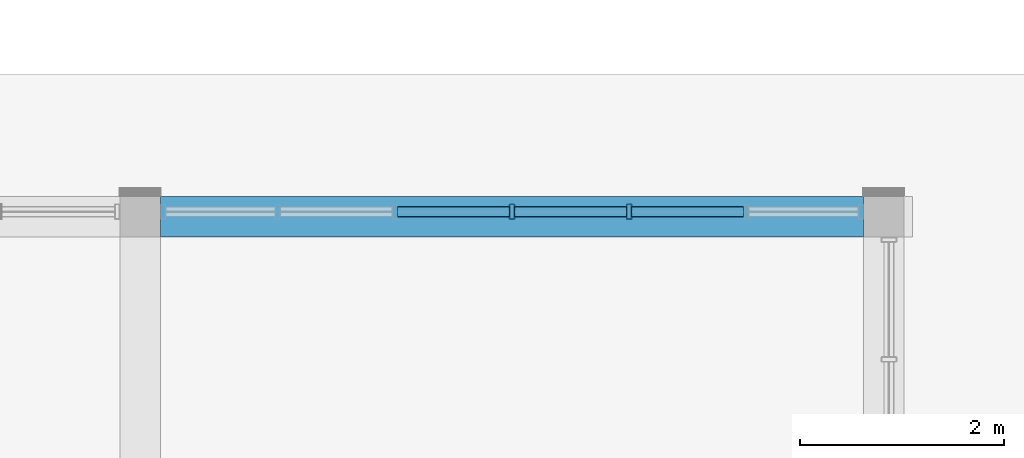
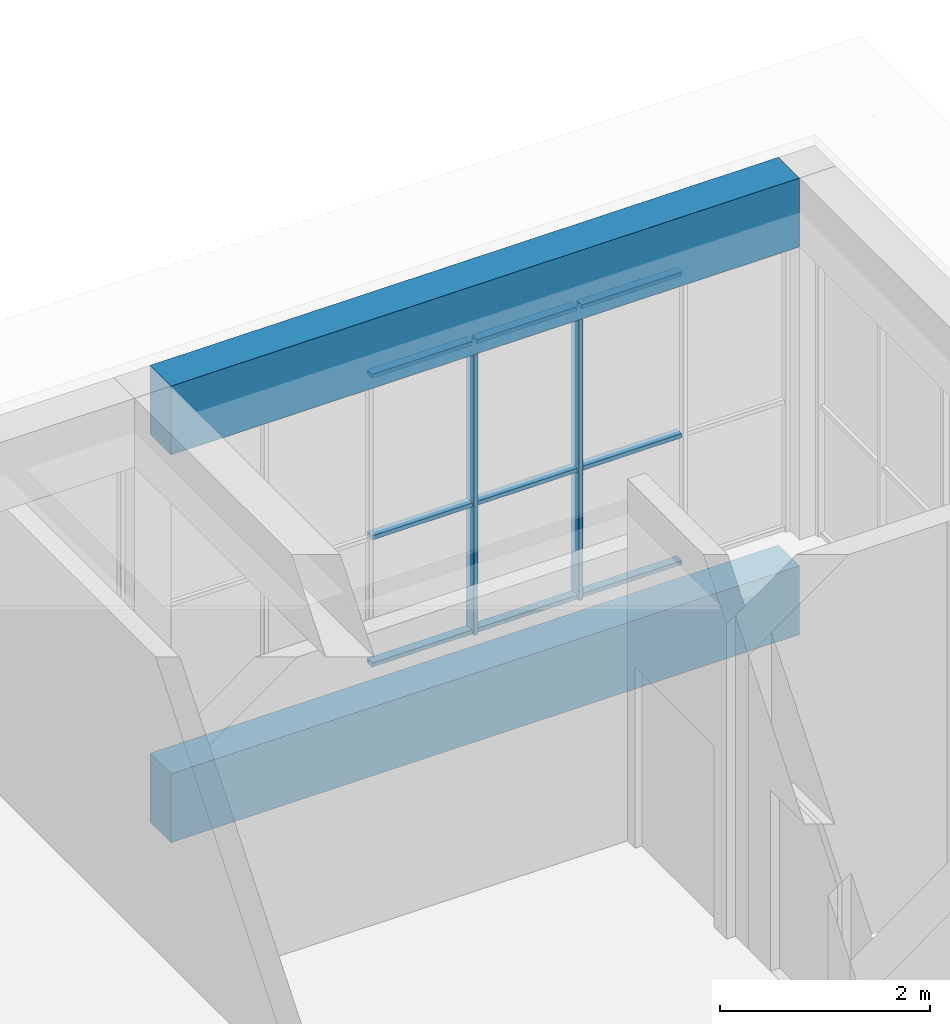
# One storey, part 16 of 92: 11 members, 2 beams, 1 element without a shape of its own.
"""IFC4 building model written with IfcOpenShell, lengths in metres."""

from ifc_helpers import new_model, si_unit, direction, frame, origin, origin_2d, place, context, subcontext, project, spatial, rectangle, hollow_rectangle, extrude, material, material_profile, profile_set, type_object, element, aggregate, save


model = new_model("IFC4")

# Units and contexts
model_context = context("Model", 3, precision=1e-05, world=origin(), true_north=direction((0.0, 1.0)))
body_context = subcontext(model_context, "Body", "Model", "MODEL_VIEW")
ifc_project = project(units=[si_unit("LENGTHUNIT", "METRE"), si_unit("AREAUNIT", "SQUARE_METRE"), si_unit("VOLUMEUNIT", "CUBIC_METRE"), si_unit("PLANEANGLEUNIT", "RADIAN"), si_unit("MASSUNIT", "GRAM", prefix="KILO")], contexts=[model_context])

# Site, building, storey
site_placement = place(None, origin())
site = spatial("IfcSite", under=ifc_project, at=site_placement, CompositionType="ELEMENT")
building_placement = place(site_placement, origin())
building = spatial("IfcBuilding", under=site, at=building_placement, Name="Sun Court Science Centre", CompositionType="ELEMENT")
storey_placement = place(building_placement, frame((0.0, 0.0, 11.25)))
storey = spatial("IfcBuildingStorey", under=building, at=storey_placement, Name="L02", CompositionType="ELEMENT", Elevation=11.25)

# Curtain wall, members
ifc_material_1 = material(Name="Aluminium EN AW-6063 T6", Category="aluminium")
curtain_wall_type = type_object("IfcCurtainWallType", Name="Pavilion curtain wall 1200", PredefinedType="NOTDEFINED", material=ifc_material_1)
curtain_wall_placement = place(storey_placement, origin())
curtain_wall = element("IfcCurtainWall", 1, at=curtain_wall_placement, inside=storey, type_object=curtain_wall_type, Name="Curtain wall V5 N L02 03", PredefinedType="NOTDEFINED")
ifc_material_2 = material(Name="Aluminium EN AW-6063 T6", Category="aluminium")
ifc_material_profile_1 = material_profile(ifc_material_2, hollow_rectangle(XDim=0.050048828125, YDim=0.14990234375, WallThickness=0.00390625, InnerFilletRadius=0.00390625, OuterFilletRadius=0.006103515625, at=origin_2d()), Name="AL 50x150x4")
ifc_profile_set_1 = profile_set([ifc_material_profile_1], Name="Aluminium EN AW-6063 T6")
member_type_1 = type_object("IfcMemberType", Name="Curtain wall mullion AL 50x150", PredefinedType="MULLION", material=ifc_profile_set_1)
member_1_placement = place(storey_placement, frame((62.14990234375, 49.85009765625, 0.0), z_axis=(0.0, 0.0, 1.0), x_axis=(1.0, 0.0, 0.0)))
member_1 = element("IfcMember", 2, at=member_1_placement, type_object=member_type_1, Name="CW3-19 mullion 4", PredefinedType="MULLION", context=body_context, shape_type="SweptSolid", body=[
    extrude(hollow_rectangle(XDim=0.050048828125, YDim=0.14990234375, WallThickness=0.00390625, InnerFilletRadius=0.00390625, OuterFilletRadius=0.006103515625, at=origin_2d()), origin(), (0.0, 0.0, 1.0), 3.39990234375),
])
member_2_placement = place(storey_placement, frame((63.300048828125, 49.85009765625, 0.0), z_axis=(0.0, 0.0, 1.0), x_axis=(1.0, 0.0, 0.0)))
member_2 = element("IfcMember", 3, at=member_2_placement, type_object=member_type_1, Name="CW3-19 mullion 5", PredefinedType="MULLION", context=body_context, shape_type="SweptSolid", body=[
    extrude(hollow_rectangle(XDim=0.050048828125, YDim=0.14990234375, WallThickness=0.00390625, InnerFilletRadius=0.00390625, OuterFilletRadius=0.006103515625, at=origin_2d()), origin(), (0.0, 0.0, 1.0), 3.39990234375),
])
ifc_material_3 = material(Name="Aluminium EN AW-6063 T6", Category="aluminium")
ifc_material_profile_2 = material_profile(ifc_material_3, hollow_rectangle(XDim=0.050048828125, YDim=0.10009765625, WallThickness=0.00390625, InnerFilletRadius=0.00390625, OuterFilletRadius=0.006103515625, at=origin_2d()), Name="AL 50x100x4")
ifc_profile_set_2 = profile_set([ifc_material_profile_2], Name="Aluminium EN AW-6063 T6")
member_type_2 = type_object("IfcMemberType", Name="Curtain wall transom AL 50x100", PredefinedType="USERDEFINED", material=ifc_profile_set_2)
member_3_placement = place(storey_placement, frame((61.02490234375, 49.85009765625, 0.02490234375), z_axis=(1.0, 0.0, 0.0), x_axis=(0.0, 0.0, 1.0)))
member_3 = element("IfcMember", 4, at=member_3_placement, type_object=member_type_2, Name="CW3-19 transom 3.1", ObjectType="TRANSOM", PredefinedType="USERDEFINED", context=body_context, shape_type="SweptSolid", body=[
    extrude(hollow_rectangle(XDim=0.050048828125, YDim=0.10009765625, WallThickness=0.00390625, InnerFilletRadius=0.00390625, OuterFilletRadius=0.006103515625, at=origin_2d()), origin(), (0.0, 0.0, 1.0), 1.10009765625),
])
member_4_placement = place(storey_placement, frame((62.175048828125, 49.85009765625, 0.02490234375), z_axis=(1.0, 0.0, 0.0), x_axis=(0.0, 0.0, 1.0)))
member_4 = element("IfcMember", 5, at=member_4_placement, type_object=member_type_2, Name="CW3-19 transom 4.1", ObjectType="TRANSOM", PredefinedType="USERDEFINED", context=body_context, shape_type="SweptSolid", body=[
    extrude(hollow_rectangle(XDim=0.050048828125, YDim=0.10009765625, WallThickness=0.00390625, InnerFilletRadius=0.00390625, OuterFilletRadius=0.006103515625, at=origin_2d()), origin(), (0.0, 0.0, 1.0), 1.099853515625),
])
member_5_placement = place(storey_placement, frame((63.324951171875, 49.85009765625, 0.02490234375), z_axis=(1.0, 0.0, 0.0), x_axis=(0.0, 0.0, 1.0)))
member_5 = element("IfcMember", 6, at=member_5_placement, type_object=member_type_2, Name="CW3-19 transom 5.1", ObjectType="TRANSOM", PredefinedType="USERDEFINED", context=body_context, shape_type="SweptSolid", body=[
    extrude(hollow_rectangle(XDim=0.050048828125, YDim=0.10009765625, WallThickness=0.00390625, InnerFilletRadius=0.00390625, OuterFilletRadius=0.006103515625, at=origin_2d()), origin(), (0.0, 0.0, 1.0), 1.10009765625),
])
member_6_placement = place(storey_placement, frame((61.02490234375, 49.85009765625, 1.5), z_axis=(1.0, 0.0, 0.0), x_axis=(0.0, 0.0, 1.0)))
member_6 = element("IfcMember", 7, at=member_6_placement, type_object=member_type_2, Name="CW3-19 transom 3.2", ObjectType="TRANSOM", PredefinedType="USERDEFINED", context=body_context, shape_type="SweptSolid", body=[
    extrude(hollow_rectangle(XDim=0.050048828125, YDim=0.10009765625, WallThickness=0.00390625, InnerFilletRadius=0.00390625, OuterFilletRadius=0.006103515625, at=origin_2d()), origin(), (0.0, 0.0, 1.0), 1.10009765625),
])
member_7_placement = place(storey_placement, frame((62.175048828125, 49.85009765625, 1.5), z_axis=(1.0, 0.0, 0.0), x_axis=(0.0, 0.0, 1.0)))
member_7 = element("IfcMember", 8, at=member_7_placement, type_object=member_type_2, Name="CW3-19 transom 4.2", ObjectType="TRANSOM", PredefinedType="USERDEFINED", context=body_context, shape_type="SweptSolid", body=[
    extrude(hollow_rectangle(XDim=0.050048828125, YDim=0.10009765625, WallThickness=0.00390625, InnerFilletRadius=0.00390625, OuterFilletRadius=0.006103515625, at=origin_2d()), origin(), (0.0, 0.0, 1.0), 1.099853515625),
])
member_8_placement = place(storey_placement, frame((63.324951171875, 49.85009765625, 1.5), z_axis=(1.0, 0.0, 0.0), x_axis=(0.0, 0.0, 1.0)))
member_8 = element("IfcMember", 9, at=member_8_placement, type_object=member_type_2, Name="CW3-19 transom 5.2", ObjectType="TRANSOM", PredefinedType="USERDEFINED", context=body_context, shape_type="SweptSolid", body=[
    extrude(hollow_rectangle(XDim=0.050048828125, YDim=0.10009765625, WallThickness=0.00390625, InnerFilletRadius=0.00390625, OuterFilletRadius=0.006103515625, at=origin_2d()), origin(), (0.0, 0.0, 1.0), 1.10009765625),
])
member_9_placement = place(storey_placement, frame((61.02490234375, 49.85009765625, 3.375), z_axis=(1.0, 0.0, 0.0), x_axis=(0.0, 0.0, 1.0)))
member_9 = element("IfcMember", 10, at=member_9_placement, type_object=member_type_2, Name="CW3-19 transom 3.3", ObjectType="TRANSOM", PredefinedType="USERDEFINED", context=body_context, shape_type="SweptSolid", body=[
    extrude(hollow_rectangle(XDim=0.050048828125, YDim=0.10009765625, WallThickness=0.00390625, InnerFilletRadius=0.00390625, OuterFilletRadius=0.006103515625, at=origin_2d()), origin(), (0.0, 0.0, 1.0), 1.10009765625),
])
member_10_placement = place(storey_placement, frame((62.175048828125, 49.85009765625, 3.375), z_axis=(1.0, 0.0, 0.0), x_axis=(0.0, 0.0, 1.0)))
member_10 = element("IfcMember", 11, at=member_10_placement, type_object=member_type_2, Name="CW3-19 transom 4.3", ObjectType="TRANSOM", PredefinedType="USERDEFINED", context=body_context, shape_type="SweptSolid", body=[
    extrude(hollow_rectangle(XDim=0.050048828125, YDim=0.10009765625, WallThickness=0.00390625, InnerFilletRadius=0.00390625, OuterFilletRadius=0.006103515625, at=origin_2d()), origin(), (0.0, 0.0, 1.0), 1.099853515625),
])
member_11_placement = place(storey_placement, frame((63.324951171875, 49.85009765625, 3.375), z_axis=(1.0, 0.0, 0.0), x_axis=(0.0, 0.0, 1.0)))
member_11 = element("IfcMember", 12, at=member_11_placement, type_object=member_type_2, Name="CW3-19 transom 5.3", ObjectType="TRANSOM", PredefinedType="USERDEFINED", context=body_context, shape_type="SweptSolid", body=[
    extrude(hollow_rectangle(XDim=0.050048828125, YDim=0.10009765625, WallThickness=0.00390625, InnerFilletRadius=0.00390625, OuterFilletRadius=0.006103515625, at=origin_2d()), origin(), (0.0, 0.0, 1.0), 1.10009765625),
])
aggregate(curtain_wall, [member_1, member_2, member_3, member_4, member_5, member_6, member_7, member_8, member_9, member_10, member_11])

# Beams
ifc_material_4 = material(Name="Concrete C25/30", Category="concrete")
ifc_material_profile_3 = material_profile(ifc_material_4, rectangle(XDim=0.39990234375, YDim=0.800048828125, at=origin_2d()), Name="RC 400x800")
ifc_profile_set_3 = profile_set([ifc_material_profile_3], Name="Concrete C25/30")
beam_type = type_object("IfcBeamType", Name="RC girder 400x800", PredefinedType="BEAM", material=ifc_profile_set_3)
for number, where, z_axis, x_axis, name in (
    (13, (58.699951171875, 49.800048828125, -0.699951171875), (1.0, 0.0, 0.0), (0.0, 1.0, 0.0), "Girder L02 row 2"),
    (14, (58.699951171875, 49.800048828125, 3.800048828125), (1.0, 0.0, 0.0), (0.0, 1.0, 0.0), "Girder L03 row 2"),
):
    element("IfcBeam", number, at=place(storey_placement, frame(where, z_axis=z_axis, x_axis=x_axis)), inside=storey, type_object=beam_type, Name=name, PredefinedType="BEAM", context=body_context, shape_type="SweptSolid", body=[
        extrude(rectangle(XDim=0.39990234375, YDim=0.800048828125, at=origin_2d()), origin(), (0.0, 0.0, 1.0), 6.900146484375),
    ])

save(model, "model.ifc")
